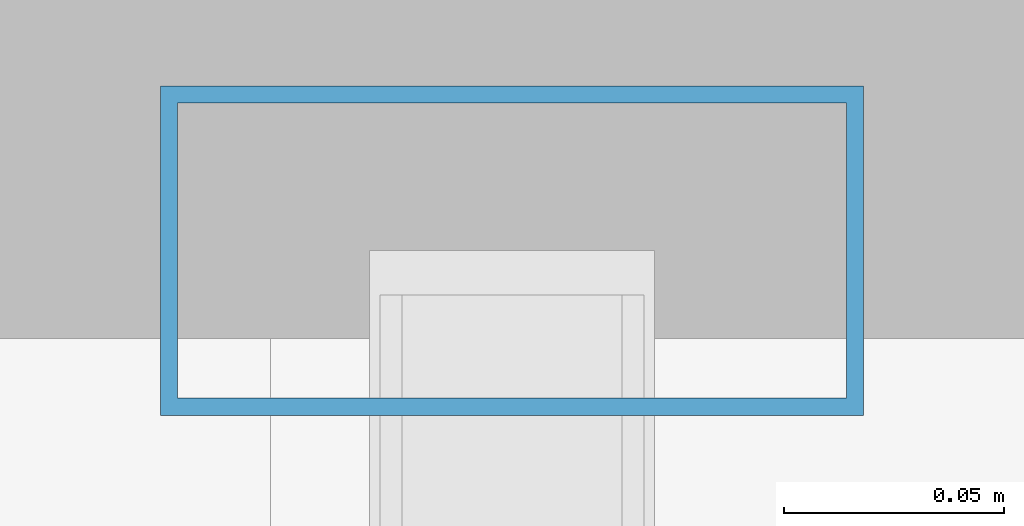
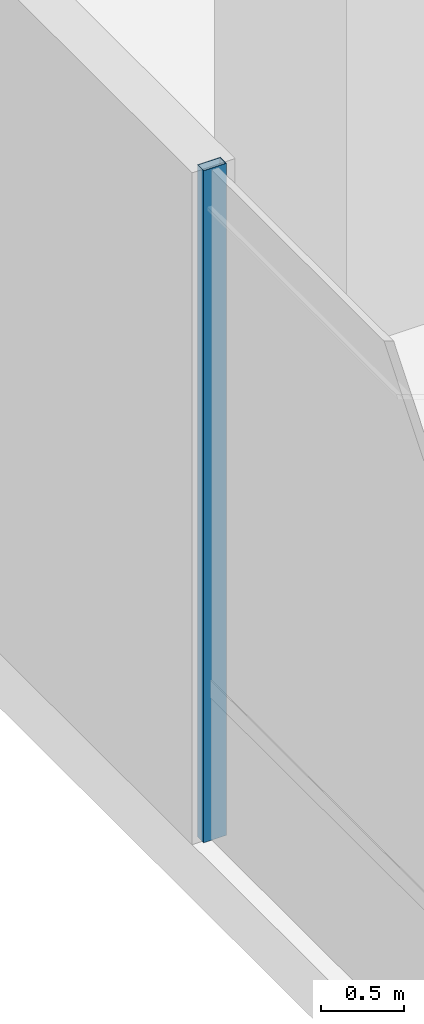
# One storey, part 12 of 41: 1 member, 1 element without a shape of its own.
"""IFC4 building model written with IfcOpenShell, lengths in metres."""

from ifc_helpers import new_model, si_unit, direction, frame, origin, origin_2d, place, context, subcontext, project, spatial, hollow_rectangle, extrude, source, transform, mapped, material, material_profile, profile_set, type_object, element, aggregate, save


model = new_model("IFC4")

# Units and contexts
model_context = context("Model", 3, precision=1e-05, world=origin(), true_north=direction((0.0, 1.0)))
body_context = subcontext(model_context, "Body", "Model", "MODEL_VIEW")
ifc_project = project(units=[si_unit("LENGTHUNIT", "METRE"), si_unit("AREAUNIT", "SQUARE_METRE"), si_unit("VOLUMEUNIT", "CUBIC_METRE"), si_unit("PLANEANGLEUNIT", "RADIAN"), si_unit("MASSUNIT", "GRAM", prefix="KILO")], contexts=[model_context])

# Site, building, storey
site_placement = place(None, origin())
site = spatial("IfcSite", under=ifc_project, at=site_placement, CompositionType="ELEMENT")
building_placement = place(site_placement, origin())
building = spatial("IfcBuilding", under=site, at=building_placement, Name="Valdorenza Pilgrim Sanctuary Tower", CompositionType="ELEMENT")
storey_placement = place(building_placement, frame((0.0, 0.0, 20.800048828125)))
storey = spatial("IfcBuildingStorey", under=building, at=storey_placement, Name="L04", CompositionType="ELEMENT", Elevation=20.800048828125)

# Curtain wall, member
ifc_material_1 = material(Name="Curtain-wall IGU glazing", Category="glass")
curtain_wall_type = type_object("IfcCurtainWallType", Name="CW-SYS-01", PredefinedType="NOTDEFINED", material=ifc_material_1)
curtain_wall_placement = place(storey_placement, origin())
curtain_wall = element("IfcCurtainWall", 1, at=curtain_wall_placement, inside=storey, type_object=curtain_wall_type, Name="L04 Curtain Wall CW-POD-L04-WW", PredefinedType="NOTDEFINED")
ifc_material_2 = material(Name="Anodised aluminium AW-6060", Category="aluminium")
ifc_material_profile = material_profile(ifc_material_2, hollow_rectangle(XDim=0.074951171875, YDim=0.159912109375, WallThickness=0.00390625, at=origin_2d()), Name="ALU-M 160x75x4")
ifc_profile_set = profile_set([ifc_material_profile], Name="Anodised aluminium AW-6060")
member_type = type_object("IfcMemberType", Name="CW-MUL-01", PredefinedType="MULLION", material=ifc_profile_set)
shared_shape = source(origin(), body_context, "Body", "SweptSolid", [
    extrude(hollow_rectangle(XDim=0.074951171875, YDim=0.159912109375, WallThickness=0.00390625, at=origin_2d()), origin(), (0.0, 0.0, 1.0), 4.9599609375),
])
member_placement = place(storey_placement, frame((-33.85009765625, 10.0, 0.0), z_axis=(0.0, 0.0, 1.0), x_axis=(0.0, 1.0, 0.0)))
member = element("IfcMember", 2, at=member_placement, type_object=member_type, Name="CW-POD-L04-WW Mullion 4", PredefinedType="MULLION", context=body_context, shape_type="MappedRepresentation", body=[
    mapped(shared_shape, transform((0.0, 0.0, 0.0), x_axis=(1.0, 0.0, 0.0), y_axis=(0.0, 1.0, 0.0), z_axis=(0.0, 0.0, 1.0), scale=1.0)),
])
aggregate(curtain_wall, [member])

save(model, "model.ifc")
